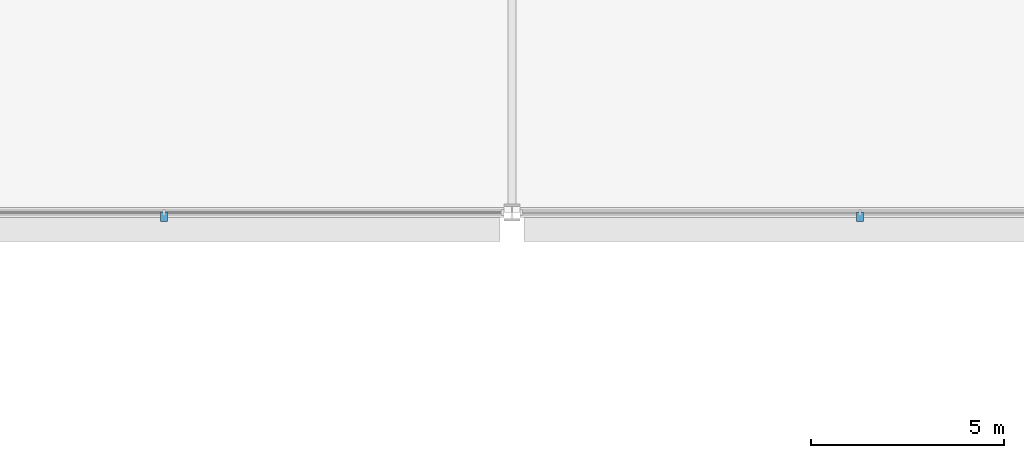
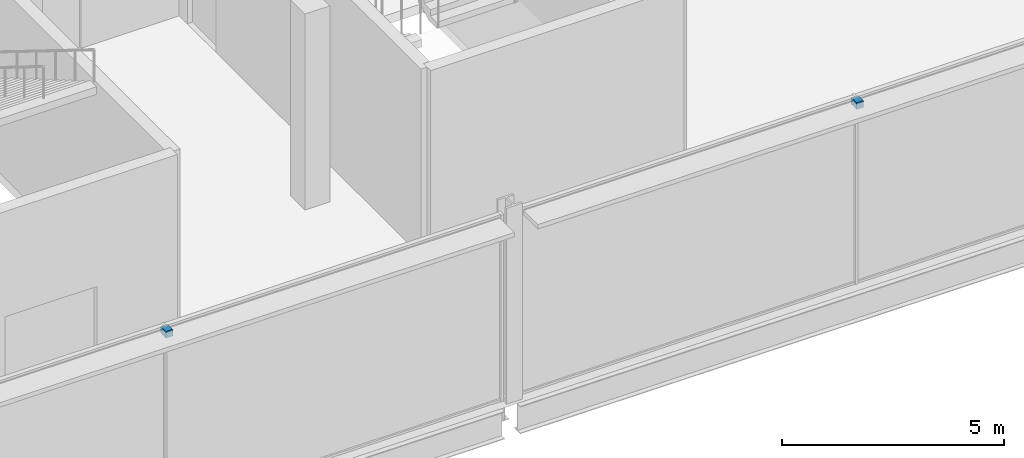
# One storey, part 75 of 111: 2 discrete accessories.
"""IFC4 building model written with IfcOpenShell, lengths in metres."""

import ifcopenshell
import ifcopenshell.guid

model = None  # the IFC model being written
_history = None  # IfcOwnerHistory: only IFC2X3 demands one
_inside = {}  # id of a spatial element -> (the spatial element, [elements in it])
_under = {}  # id of a project, library or spatial element -> (it, [spatial elements below it])
_declared = {}  # id of a project -> (the project, [libraries it declares])
_typed = {}  # id of a type object -> (the type object, [elements of that type])
_made_of = {}  # id of a material, layer set ... -> (it, [elements and type objects made of it])


def new_model(schema):
    """Start an empty IFC model of exactly this schema.

    Asked for "IFC4X3", IfcOpenShell would pick the latest addendum, in which some entities
    have other attributes; the version numbers below select the first issue.
    IFC2X3 requires an IfcOwnerHistory on every rooted entity: one is made here for all.
    """
    global model, _history
    if schema == "IFC4X3":
        model = ifcopenshell.file(schema_version=(4, 3, 0, 0))
    else:
        model = ifcopenshell.file(schema=schema)
    _inside.clear()
    _under.clear()
    _declared.clear()
    _typed.clear()
    _made_of.clear()
    _history = None
    if model.schema == "IFC2X3":
        org = make("IfcOrganization", Name="unknown")
        user = make(
            "IfcPersonAndOrganization",
            ThePerson=make("IfcPerson", FamilyName="unknown"),
            TheOrganization=org,
        )
        app = make(
            "IfcApplication",
            ApplicationDeveloper=org,
            Version="unknown",
            ApplicationFullName="unknown",
            ApplicationIdentifier="unknown",
        )
        _history = make(
            "IfcOwnerHistory",
            OwningUser=user,
            OwningApplication=app,
            ChangeAction="ADDED",
            CreationDate=0,
        )
    return model


def make(cls, **values):
    """One entity of the class cls with the attributes given. An attribute that is None is left unset."""
    return model.create_entity(
        cls, **{name: value for name, value in values.items() if value is not None}
    )


def rooted(cls, **values):
    """An entity with a GlobalId (a new one), such as an element, a storey or a relation."""
    return make(cls, GlobalId=ifcopenshell.guid.new(), OwnerHistory=_history, **values)


def si_unit(unit_type, name, prefix=None):
    """IfcSIUnit, for example si_unit("LENGTHUNIT", "METRE", prefix="MILLI")."""
    return make("IfcSIUnit", UnitType=unit_type, Prefix=prefix, Name=name)


def assignment(units):
    """IfcUnitAssignment: the units of a project."""
    return None if units is None else make("IfcUnitAssignment", Units=units)


def point(xyz):
    """IfcCartesianPoint."""
    return None if xyz is None else make("IfcCartesianPoint", Coordinates=xyz)


def direction(xyz):
    """IfcDirection."""
    return None if xyz is None else make("IfcDirection", DirectionRatios=xyz)


def frame(location, z_axis=None, x_axis=None):
    """IfcAxis2Placement3D, a coordinate frame: its origin and axes. An axis left out is left unset."""
    return make(
        "IfcAxis2Placement3D",
        Location=point(location),
        Axis=direction(z_axis),
        RefDirection=direction(x_axis),
    )


def frame_2d(location, x_axis=None):
    """IfcAxis2Placement2D, a coordinate frame in the plane: its origin and x axis."""
    return make(
        "IfcAxis2Placement2D", Location=point(location), RefDirection=direction(x_axis)
    )


def origin():
    """The frame at (0, 0, 0) with its axes left unset."""
    return frame((0.0, 0.0, 0.0))


def origin_2d():
    """The frame at (0, 0) in the plane with its x axis left unset."""
    return frame_2d((0.0, 0.0))


def place(relative_to, where):
    """IfcLocalPlacement: puts the frame where relative to a parent placement (None: the world)."""
    return make(
        "IfcLocalPlacement", PlacementRelTo=relative_to, RelativePlacement=where
    )


def context(
    kind, dimensions, precision=None, world=None, true_north=None, identifier=None
):
    """IfcGeometricRepresentationContext, for example the 3D "Model" context."""
    return make(
        "IfcGeometricRepresentationContext",
        ContextIdentifier=identifier,
        ContextType=kind,
        CoordinateSpaceDimension=dimensions,
        Precision=precision,
        WorldCoordinateSystem=world,
        TrueNorth=true_north,
    )


def subcontext(parent, identifier, kind, view, scale=None):
    """IfcGeometricRepresentationSubContext, for example "Body" below "Model"."""
    return make(
        "IfcGeometricRepresentationSubContext",
        ContextIdentifier=identifier,
        ContextType=kind,
        ParentContext=parent,
        TargetScale=scale,
        TargetView=view,
    )


def project(units=None, contexts=None):
    """IfcProject with its units and contexts."""
    return rooted(
        "IfcProject",
        Name="project",
        RepresentationContexts=contexts,
        UnitsInContext=assignment(units),
    )


def spatial(cls, under=None, at=None, **own):
    """A site, building, storey or space (cls), placed at a placement, below another one or the project."""
    s = rooted(cls, ObjectPlacement=at, **own)
    if under is not None:
        _under.setdefault(under.id(), (under, []))[1].append(s)
    return s


def profile(cls, at=None, kind="AREA", **sizes):
    """A parametric profile (cls). Its sizes go by their IFC names, for example OverallWidth=200.0."""
    return make(cls, ProfileType=kind, Position=at, **sizes)


def rectangle(**sizes):
    """IfcRectangleProfileDef."""
    return profile("IfcRectangleProfileDef", **sizes)


def extrude(swept, where, along, depth):
    """IfcExtrudedAreaSolid: the profile swept, set in the frame where, extruded along a direction by depth."""
    return make(
        "IfcExtrudedAreaSolid",
        SweptArea=swept,
        Position=where,
        ExtrudedDirection=direction(along),
        Depth=depth,
    )


def shape(context_of_items, identifier, shape_type, items):
    """IfcShapeRepresentation: the items that make up one representation, for example the "Body"."""
    return make(
        "IfcShapeRepresentation",
        ContextOfItems=context_of_items,
        RepresentationIdentifier=identifier,
        RepresentationType=shape_type,
        Items=items,
    )


def material(Name=None, Category=None):
    """IfcMaterial."""
    return make("IfcMaterial", Name=Name, Category=Category)


def made_of(thing, what):
    """Note that an element or type object is made of a material, layer set ...; save() writes the relation."""
    if what is not None:
        _made_of.setdefault(what.id(), (what, []))[1].append(thing)
    return thing


def type_object(cls, material=None, **own):
    """A type object (cls), such as IfcWallType, which elements share."""
    return made_of(rooted(cls, **own), material)


def element(
    cls,
    number,
    at=None,
    inside=None,
    cuts=None,
    type_object=None,
    material=None,
    context=None,
    identifier="Body",
    shape_type=None,
    held_by="IfcProductDefinitionShape",
    body=None,
    shapes=None,
    **own,
):
    """One element of the class cls, such as IfcWall. Its Tag is "e" and its number.

    at: its placement. inside: the storey or other place that contains it. cuts: it is an
    opening in that element (IfcRelVoidsElement). A single representation is given by context,
    identifier, shape_type and body (its items); several are given by shapes. held_by: the class
    of the entity that holds the representations. save() writes the other relations.
    """
    e = rooted(cls, Tag="e%d" % number, ObjectPlacement=at, **own)
    if body is not None:
        shapes = [shape(context, identifier, shape_type, body)]
    if shapes is not None:
        e.Representation = make(held_by, Representations=shapes)
    if inside is not None:
        _inside.setdefault(inside.id(), (inside, []))[1].append(e)
    if cuts is not None:
        rooted(
            "IfcRelVoidsElement", RelatingBuildingElement=cuts, RelatedOpeningElement=e
        )
    if type_object is not None:
        _typed.setdefault(type_object.id(), (type_object, []))[1].append(e)
    return made_of(e, material)


def aggregate(whole, parts):
    """IfcRelAggregates: a whole, such as a stair, and the parts it consists of."""
    return rooted("IfcRelAggregates", RelatingObject=whole, RelatedObjects=parts)


def save(model, path):
    """Write the relations noted so far, then the file.

    IfcRelAggregates (storeys below a building ...), IfcRelContainedInSpatialStructure (elements
    in a storey), IfcRelDefinesByType, IfcRelAssociatesMaterial and IfcRelDeclares: one each for
    every whole, place, type object, material and project.
    """
    for whole, parts in _under.values():
        aggregate(whole, parts)
    for where, things in _inside.values():
        rooted(
            "IfcRelContainedInSpatialStructure",
            RelatedElements=things,
            RelatingStructure=where,
        )
    for kind, things in _typed.values():
        rooted("IfcRelDefinesByType", RelatedObjects=things, RelatingType=kind)
    for what, things in _made_of.values():
        rooted("IfcRelAssociatesMaterial", RelatedObjects=things, RelatingMaterial=what)
    for by, libraries in _declared.values():
        rooted("IfcRelDeclares", RelatingContext=by, RelatedDefinitions=libraries)
    model.write(path)


model = new_model("IFC4")

# Units and contexts
model_context = context("Model", 3, precision=1e-05, world=origin(), true_north=direction((0.0, 1.0)))
body_context = subcontext(model_context, "Body", "Model", "MODEL_VIEW")
ifc_project = project(units=[si_unit("LENGTHUNIT", "METRE"), si_unit("AREAUNIT", "SQUARE_METRE"), si_unit("VOLUMEUNIT", "CUBIC_METRE"), si_unit("PLANEANGLEUNIT", "RADIAN"), si_unit("MASSUNIT", "GRAM", prefix="KILO")], contexts=[model_context])

# Site, building, storey
site_placement = place(None, origin())
site = spatial("IfcSite", under=ifc_project, at=site_placement, CompositionType="ELEMENT")
building_placement = place(site_placement, origin())
building = spatial("IfcBuilding", under=site, at=building_placement, Name="Kisiwana Market Hall", CompositionType="ELEMENT")
storey_placement = place(building_placement, frame((0.0, 0.0, 11.39990234375)))
storey = spatial("IfcBuildingStorey", under=building, at=storey_placement, Name="L02", CompositionType="ELEMENT", Elevation=11.39990234375)

# Discrete accessories
ifc_material = material(Name="Steel S355", Category="steel")
discrete_accessory_type = type_object("IfcDiscreteAccessoryType", Name="ACC-BRACKET-STL", PredefinedType="BRACKET", material=ifc_material)
for number, where, z_axis, x_axis, name in (
    (1, (54.0, 83.889892578125, 4.93994140625), (0.0, 0.0, 1.0), (1.0, 0.0, 0.0), "Sunshade steel bracket BRK-043"),
    (2, (72.0, 83.889892578125, 4.93994140625), (0.0, 0.0, 1.0), (1.0, 0.0, 0.0), "Sunshade steel bracket BRK-044"),
):
    element("IfcDiscreteAccessory", number, at=place(storey_placement, frame(where, z_axis=z_axis, x_axis=x_axis)), inside=storey, type_object=discrete_accessory_type, Name=name, PredefinedType="BRACKET", context=body_context, shape_type="SweptSolid", body=[
        extrude(rectangle(XDim=0.179931640625, YDim=0.239990234375, at=origin_2d()), origin(), (0.0, 0.0, 1.0), 0.179931640625),
    ])

save(model, "model.ifc")
